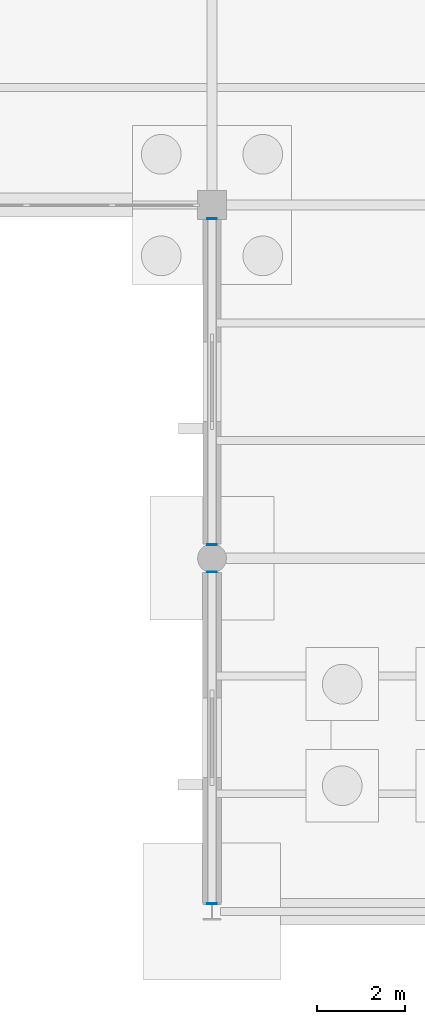
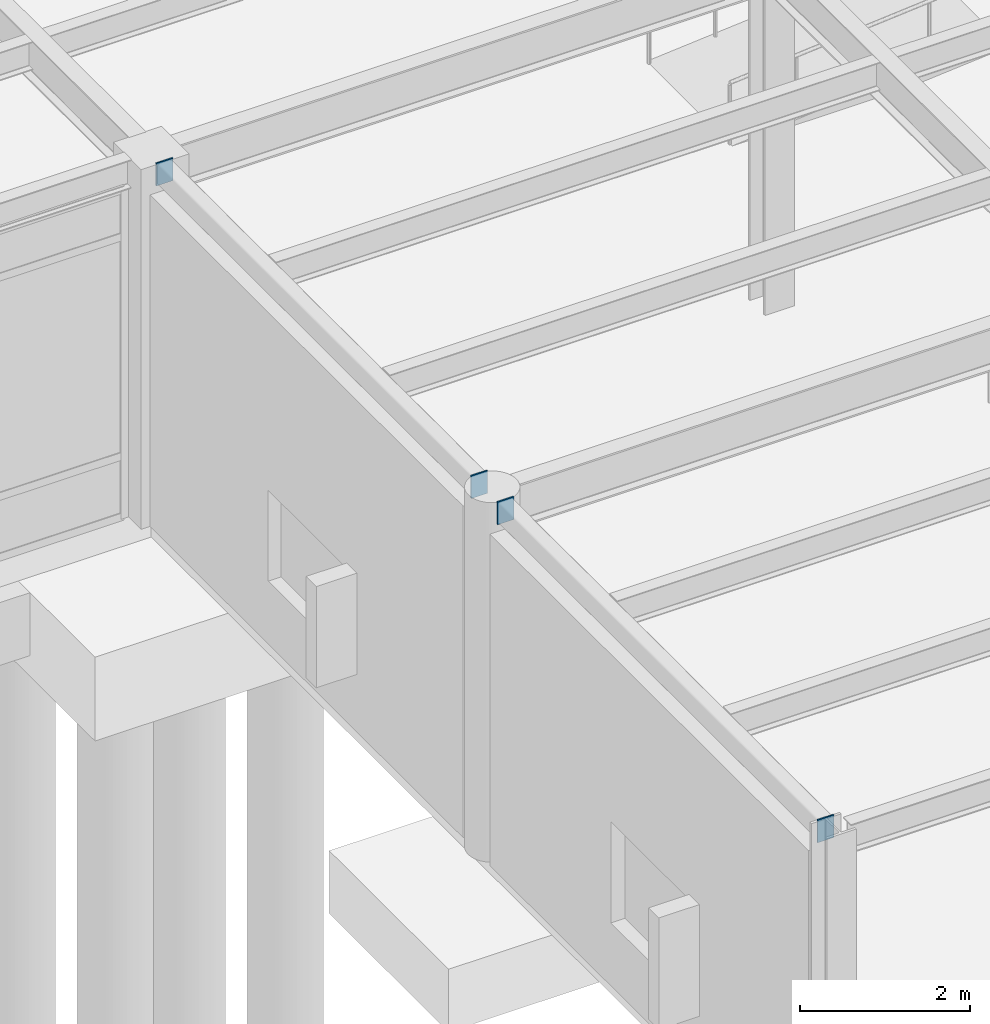
# One storey, part 92 of 138: 4 discrete accessories.
"""IFC4 building model written with IfcOpenShell, lengths in metres."""

from ifc_helpers import new_model, si_unit, direction, frame, origin, origin_2d, place, context, subcontext, project, spatial, rectangle, extrude, material, layer, layer_set, type_object, element, save


model = new_model("IFC4")

# Units and contexts
model_context = context("Model", 3, precision=1e-05, world=origin(), true_north=direction((0.0, 1.0)))
body_context = subcontext(model_context, "Body", "Model", "MODEL_VIEW")
ifc_project = project(units=[si_unit("LENGTHUNIT", "METRE"), si_unit("AREAUNIT", "SQUARE_METRE"), si_unit("VOLUMEUNIT", "CUBIC_METRE"), si_unit("PLANEANGLEUNIT", "RADIAN"), si_unit("MASSUNIT", "GRAM", prefix="KILO")], contexts=[model_context])

# Site, building, storey
site_placement = place(None, origin())
site = spatial("IfcSite", under=ifc_project, at=site_placement, CompositionType="ELEMENT")
building_placement = place(site_placement, origin())
building = spatial("IfcBuilding", under=site, at=building_placement, Name="Kranzveld Transit Interchange", CompositionType="ELEMENT")
storey_placement = place(building_placement, origin())
storey = spatial("IfcBuildingStorey", under=building, at=storey_placement, Name="L00", CompositionType="ELEMENT", Elevation=0.0)

# Discrete accessories
ifc_material = material(Name="Steel S355JR", Category="steel")
ifc_layer = layer(ifc_material, 0.02001953125)
ifc_layer_set = layer_set([ifc_layer], Name="Steel S355JR")
discrete_accessory_type = type_object("IfcDiscreteAccessoryType", Name="Hollow Section End Cap Bracket 20 S355JR", PredefinedType="BRACKET", material=ifc_layer_set)
for number, where, z_axis, x_axis, name in (
    (1, (50.39990234375, 0.19091796875, 5.0), (0.0, -1.0, 0.0), (1.0, 0.0, 0.0), "Hollow Section End Cap SP-RHS300-1"),
    (2, (50.39990234375, 7.680908203125, 5.0), (0.0, 1.0, 0.0), (-1.0, 0.0, 0.0), "Hollow Section End Cap SP-RHS300-2"),
    (3, (50.39990234375, 8.319091796875, 5.0), (0.0, -1.0, 0.0), (1.0, 0.0, 0.0), "Hollow Section End Cap SP-RHS300-1"),
    (4, (50.39990234375, 15.680908203125, 5.0), (0.0, 1.0, 0.0), (-1.0, 0.0, 0.0), "Hollow Section End Cap SP-RHS300-2"),
):
    element("IfcDiscreteAccessory", number, at=place(storey_placement, frame(where, z_axis=z_axis, x_axis=x_axis)), inside=storey, type_object=discrete_accessory_type, Name=name, PredefinedType="BRACKET", context=body_context, shape_type="SweptSolid", body=[
        extrude(rectangle(XDim=0.22412109375, YDim=0.323974609375, at=origin_2d()), origin(), (0.0, 0.0, 1.0), 0.02001953125),
    ])

save(model, "model.ifc")
